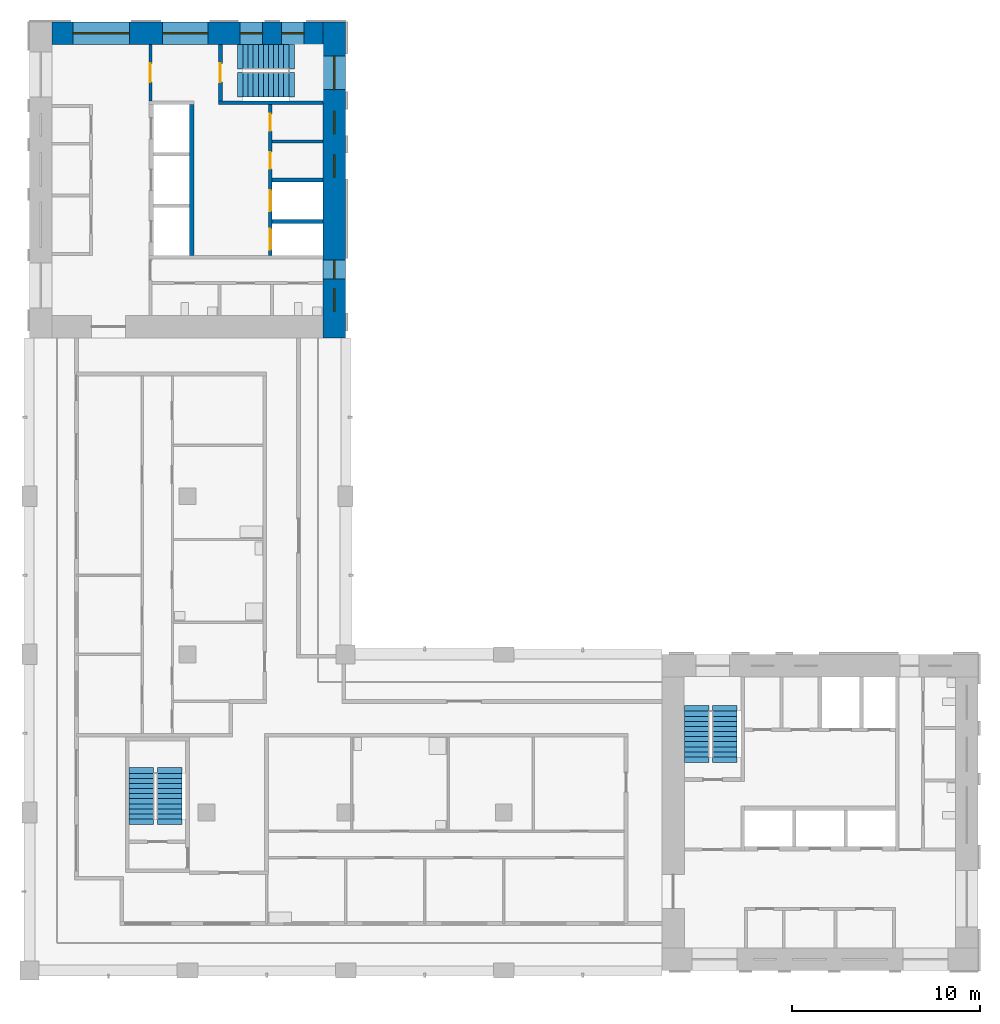
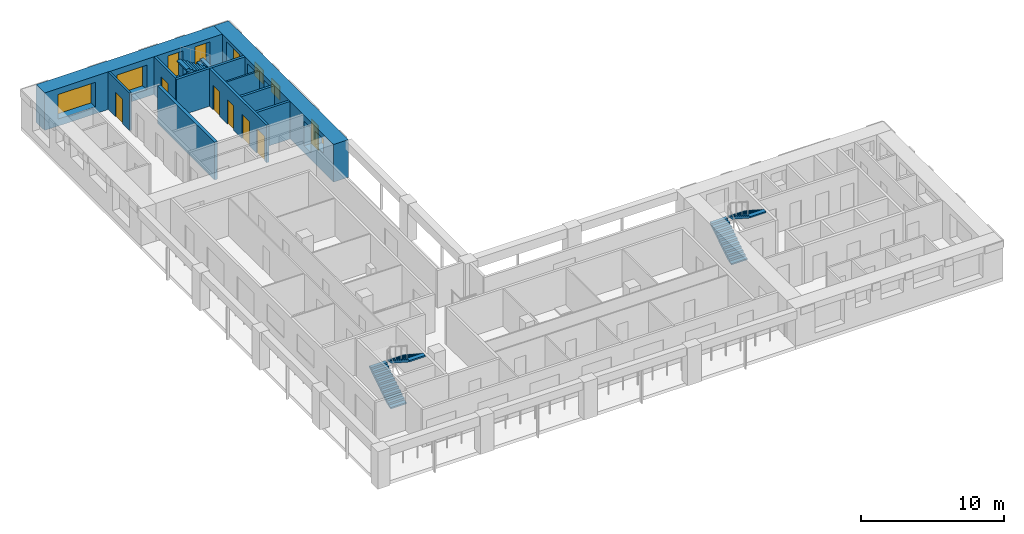
# One storey, part 6 of 9: 10 walls, 9 windows, 6 doors, 6 stair flights, 15 openings, 3 elements without a shape of their own.
"""IFC4 building model written with IfcOpenShell, lengths in metres."""

from ifc_helpers import new_model, si_unit, direction, frame, frame_2d, origin, place, context, subcontext, project, spatial, polyline, rectangle, outline, extrude, material, layer, layer_set, type_object, element, fill, aggregate, save


model = new_model("IFC4")

# Units and contexts
model_context = context("Model", 3, precision=1e-05, world=origin(), true_north=direction((0.0, 1.0)))
body_context = subcontext(model_context, "Body", "Model", "MODEL_VIEW")
ifc_project = project(units=[si_unit("LENGTHUNIT", "METRE"), si_unit("AREAUNIT", "SQUARE_METRE"), si_unit("VOLUMEUNIT", "CUBIC_METRE"), si_unit("PLANEANGLEUNIT", "RADIAN"), si_unit("MASSUNIT", "GRAM", prefix="KILO")], contexts=[model_context])

# Site, building, storey
site_placement = place(None, origin())
site = spatial("IfcSite", under=ifc_project, at=site_placement, CompositionType="ELEMENT")
building_placement = place(site_placement, origin())
building = spatial("IfcBuilding", under=site, at=building_placement, Name="Vermilion Gate Residences", CompositionType="ELEMENT")
storey_placement = place(building_placement, frame((0.0, 0.0, 224.699951171875)))
storey = spatial("IfcBuildingStorey", under=building, at=storey_placement, Name="L58", CompositionType="ELEMENT", Elevation=224.699951171875)

# Wall
ifc_material_1 = material(Name="Masonry blockwork", Category="masonry")
ifc_layer_1 = layer(ifc_material_1, 0.14990234375)
ifc_layer_set_1 = layer_set([ifc_layer_1], Name="BLOCKWORK PARTITION 150 EI 120")
wall_type_1 = type_object("IfcWallType", Name="BLOCKWORK PARTITION 150 EI 120", PredefinedType="PARTITIONING", material=ifc_layer_set_1)
wall_1_placement = place(storey_placement, frame((21.300048828125, 52.449951171875, 0.0), z_axis=(0.0, 0.0, 1.0), x_axis=(1.0, 0.0, 0.0)))
element("IfcWall", 1, at=wall_1_placement, inside=storey, type_object=wall_type_1, Name="Core room partition B58-NR-P0", PredefinedType="PARTITIONING", context=body_context, shape_type="SweptSolid", body=[
    extrude(rectangle(XDim=2.699951171875, YDim=0.14990234375, at=frame_2d((1.35009765625, 0.0))), origin(), (0.0, 0.0, 1.0), 3.219970703125),
])

# Wall, opening, door
wall_2_placement = place(storey_placement, frame((14.824951171875, 57.60009765625, 0.0), z_axis=(0.0, 0.0, 1.0), x_axis=(0.0, -1.0, 0.0)))
wall_2 = element("IfcWall", 2, at=wall_2_placement, inside=storey, type_object=wall_type_1, Name="Core room partition B58-VW-S", PredefinedType="PARTITIONING", context=body_context, shape_type="SweptSolid", body=[
    extrude(rectangle(XDim=3.0, YDim=0.14990234375, at=frame_2d((1.5, 0.0))), origin(), (0.0, 0.0, 1.0), 3.219970703125),
])
opening_1_placement = place(wall_2_placement, frame((1.0, 0.0, 0.0)))
opening_1 = element("IfcOpeningElement", 3, at=opening_1_placement, cuts=wall_2, Name="Opening DK58112", PredefinedType="OPENING", context=body_context, shape_type="SweptSolid", body=[
    extrude(rectangle(XDim=1.0, YDim=2.10009765625, at=frame_2d((0.5, 1.050048828125))), frame((0.0, 0.0849609375, 0.0), z_axis=(0.0, -1.0, 0.0), x_axis=(1.0, 0.0, 0.0)), (0.0, 0.0, 1.0), 0.169921875),
])
ifc_material_2 = material(Name="Steel", Category="steel")
door_type_1 = type_object("IfcDoorType", Name="FIRE DOOR FD60 1000 X 2100", OperationType="SINGLE_SWING_LEFT", PredefinedType="DOOR", material=ifc_material_2)
door_1_placement = place(opening_1_placement, frame((1.0, 0.0, 0.0), z_axis=(0.0, 0.0, 1.0), x_axis=(-1.0, 0.0, 0.0)))
door_1 = element("IfcDoor", 4, at=door_1_placement, inside=storey, type_object=door_type_1, Name="Stair vestibule door B58", OperationType="SINGLE_SWING_RIGHT", OverallHeight=2.10009765625, OverallWidth=1.0, PredefinedType="DOOR", context=body_context, shape_type="SweptSolid", body=[
    extrude(rectangle(XDim=1.0, YDim=2.10009765625, at=frame_2d((0.5, 1.050048828125))), frame((0.0, 0.02490234375, 0.0), z_axis=(0.0, -1.0, 0.0), x_axis=(1.0, 0.0, 0.0)), (0.0, 0.0, 1.0), 0.050048828125),
])
fill(opening_1, door_1)

# Walls
ifc_material_3 = material(Name="Concrete C60", Category="concrete")
ifc_layer_2 = layer(ifc_material_3, 0.199951171875)
ifc_layer_set_2 = layer_set([ifc_layer_2], Name="RC CORE INTERNAL WALL 200 C60")
wall_type_2 = type_object("IfcWallType", Name="RC CORE INTERNAL WALL 200 C60", PredefinedType="SHEAR", material=ifc_layer_set_2)
for number, where, z_axis, x_axis, name in (
    (5, (21.300048828125, 50.39990234375, 0.0), (0.0, 0.0, 1.0), (1.0, 0.0, 0.0), "Core internal wall B58-FF-D0"),
    (6, (21.300048828125, 48.199951171875, 0.0), (0.0, 0.0, 1.0), (1.0, 0.0, 0.0), "Core internal wall B58-FF-D1"),
):
    element("IfcWall", number, at=place(storey_placement, frame(where, z_axis=z_axis, x_axis=x_axis)), inside=storey, type_object=wall_type_2, Name=name, PredefinedType="SHEAR", context=body_context, shape_type="SweptSolid", body=[
        extrude(rectangle(XDim=2.699951171875, YDim=0.199951171875, at=frame_2d((1.35009765625, 0.0))), origin(), (0.0, 0.0, 1.0), 3.219970703125),
    ])

# Wall, openings, doors
wall_3_placement = place(storey_placement, frame((21.199951171875, 54.39990234375, 0.0), z_axis=(0.0, 0.0, 1.0), x_axis=(0.0, -1.0, 0.0)))
wall_3 = element("IfcWall", 7, at=wall_3_placement, inside=storey, type_object=wall_type_2, Name="Core internal wall B58-FF-F", PredefinedType="SHEAR", context=body_context, shape_type="SweptSolid", body=[
    extrude(rectangle(XDim=8.0, YDim=0.199951171875, at=frame_2d((4.0, 0.0))), origin(), (0.0, 0.0, 1.0), 3.219970703125),
])
opening_2_placement = place(wall_3_placement, frame((0.487548828125, 0.0, 0.0)))
opening_2 = element("IfcOpeningElement", 8, at=opening_2_placement, cuts=wall_3, Name="Opening DK58108", PredefinedType="OPENING", context=body_context, shape_type="SweptSolid", body=[
    extrude(rectangle(XDim=0.89990234375, YDim=2.10009765625, at=frame_2d((0.449951171875, 1.050048828125))), frame((0.0, 0.10986328125, 0.0), z_axis=(0.0, -1.0, 0.0), x_axis=(1.0, 0.0, 0.0)), (0.0, 0.0, 1.0), 0.219970703125),
])
opening_3_placement = place(wall_3_placement, frame((2.512451171875, 0.0, 0.0)))
opening_3 = element("IfcOpeningElement", 9, at=opening_3_placement, cuts=wall_3, Name="Opening DK58109", PredefinedType="OPENING", context=body_context, shape_type="SweptSolid", body=[
    extrude(rectangle(XDim=0.89990234375, YDim=2.10009765625, at=frame_2d((0.449951171875, 1.050048828125))), frame((0.0, 0.10986328125, 0.0), z_axis=(0.0, -1.0, 0.0), x_axis=(1.0, 0.0, 0.0)), (0.0, 0.0, 1.0), 0.219970703125),
])
opening_4_placement = place(wall_3_placement, frame((4.550048828125, 0.0, 0.0)))
opening_4 = element("IfcOpeningElement", 10, at=opening_4_placement, cuts=wall_3, Name="Opening LD", PredefinedType="OPENING", context=body_context, shape_type="SweptSolid", body=[
    extrude(rectangle(XDim=1.10009765625, YDim=2.10009765625, at=frame_2d((0.550048828125, 1.050048828125))), frame((0.0, 0.10986328125, 0.0), z_axis=(0.0, -1.0, 0.0), x_axis=(1.0, 0.0, 0.0)), (0.0, 0.0, 1.0), 0.219970703125),
])
opening_5_placement = place(wall_3_placement, frame((6.60009765625, 0.0, 0.0)))
opening_5 = element("IfcOpeningElement", 11, at=opening_5_placement, cuts=wall_3, Name="Opening LD", PredefinedType="OPENING", context=body_context, shape_type="SweptSolid", body=[
    extrude(rectangle(XDim=1.10009765625, YDim=2.10009765625, at=frame_2d((0.550048828125, 1.050048828125))), frame((0.0, 0.10986328125, 0.0), z_axis=(0.0, -1.0, 0.0), x_axis=(1.0, 0.0, 0.0)), (0.0, 0.0, 1.0), 0.219970703125),
])
ifc_material_4 = material(Name="Stainless steel", Category="steel")
door_type_2 = type_object("IfcDoorType", Name="LIFT LANDING DOOR E60 1100 X 2100", OperationType="DOUBLE_DOOR_SLIDING", PredefinedType="DOOR", material=ifc_material_4)
door_2_placement = place(opening_4_placement, origin())
door_2 = element("IfcDoor", 12, at=door_2_placement, inside=storey, type_object=door_type_2, Name="Lift landing door LFB1", OperationType="DOUBLE_DOOR_SLIDING", OverallHeight=2.10009765625, OverallWidth=1.10009765625, PredefinedType="DOOR", context=body_context, shape_type="SweptSolid", body=[
    extrude(rectangle(XDim=1.10009765625, YDim=2.10009765625, at=frame_2d((0.550048828125, 1.050048828125))), frame((0.0, 0.02490234375, 0.0), z_axis=(0.0, -1.0, 0.0), x_axis=(1.0, 0.0, 0.0)), (0.0, 0.0, 1.0), 0.050048828125),
])
fill(opening_4, door_2)
door_3_placement = place(opening_5_placement, origin())
door_3 = element("IfcDoor", 13, at=door_3_placement, inside=storey, type_object=door_type_2, Name="Lift landing door LCB1", OperationType="DOUBLE_DOOR_SLIDING", OverallHeight=2.10009765625, OverallWidth=1.10009765625, PredefinedType="DOOR", context=body_context, shape_type="SweptSolid", body=[
    extrude(rectangle(XDim=1.10009765625, YDim=2.10009765625, at=frame_2d((0.550048828125, 1.050048828125))), frame((0.0, 0.02490234375, 0.0), z_axis=(0.0, -1.0, 0.0), x_axis=(1.0, 0.0, 0.0)), (0.0, 0.0, 1.0), 0.050048828125),
])
fill(opening_5, door_3)
ifc_material_5 = material(Name="Steel", Category="steel")
door_type_3 = type_object("IfcDoorType", Name="SERVICE ROOM DOOR FD60 900 X 2100", OperationType="SINGLE_SWING_LEFT", PredefinedType="DOOR", material=ifc_material_5)
door_4_placement = place(opening_2_placement, origin())
door_4 = element("IfcDoor", 14, at=door_4_placement, inside=storey, type_object=door_type_3, Name="Housekeeping store B58", OperationType="SINGLE_SWING_RIGHT", OverallHeight=2.10009765625, OverallWidth=0.89990234375, PredefinedType="DOOR", context=body_context, shape_type="SweptSolid", body=[
    extrude(rectangle(XDim=0.89990234375, YDim=2.10009765625, at=frame_2d((0.449951171875, 1.050048828125))), frame((0.0, 0.02490234375, 0.0), z_axis=(0.0, -1.0, 0.0), x_axis=(1.0, 0.0, 0.0)), (0.0, 0.0, 1.0), 0.050048828125),
])
fill(opening_2, door_4)
door_5_placement = place(opening_3_placement, origin())
door_5 = element("IfcDoor", 15, at=door_5_placement, inside=storey, type_object=door_type_3, Name="Mail room B58", OperationType="SINGLE_SWING_RIGHT", OverallHeight=2.10009765625, OverallWidth=0.89990234375, PredefinedType="DOOR", context=body_context, shape_type="SweptSolid", body=[
    extrude(rectangle(XDim=0.89990234375, YDim=2.10009765625, at=frame_2d((0.449951171875, 1.050048828125))), frame((0.0, 0.02490234375, 0.0), z_axis=(0.0, -1.0, 0.0), x_axis=(1.0, 0.0, 0.0)), (0.0, 0.0, 1.0), 0.050048828125),
])
fill(opening_3, door_5)

# Wall
wall_4_placement = place(storey_placement, frame((18.449951171875, 54.5, 0.0), z_axis=(0.0, 0.0, 1.0), x_axis=(1.0, 0.0, 0.0)))
element("IfcWall", 16, at=wall_4_placement, inside=storey, type_object=wall_type_2, Name="Core internal wall B58-WDIV2", PredefinedType="SHEAR", context=body_context, shape_type="SweptSolid", body=[
    extrude(rectangle(XDim=5.550048828125, YDim=0.199951171875, at=frame_2d((2.77490234375, 0.0))), origin(), (0.0, 0.0, 1.0), 3.219970703125),
])

# Wall, opening, door
wall_5_placement = place(storey_placement, frame((18.550048828125, 57.60009765625, 0.0), z_axis=(0.0, 0.0, 1.0), x_axis=(0.0, -1.0, 0.0)))
wall_5 = element("IfcWall", 17, at=wall_5_placement, inside=storey, type_object=wall_type_2, Name="Core internal wall B58-STW-S", PredefinedType="SHEAR", context=body_context, shape_type="SweptSolid", body=[
    extrude(rectangle(XDim=3.0, YDim=0.199951171875, at=frame_2d((1.5, 0.0))), origin(), (0.0, 0.0, 1.0), 3.219970703125),
])
opening_6_placement = place(wall_5_placement, frame((1.0, 0.0, 0.0)))
opening_6 = element("IfcOpeningElement", 18, at=opening_6_placement, cuts=wall_5, Name="Opening DK58113", PredefinedType="OPENING", context=body_context, shape_type="SweptSolid", body=[
    extrude(rectangle(XDim=1.0, YDim=2.10009765625, at=frame_2d((0.5, 1.050048828125))), frame((0.0, 0.10986328125, 0.0), z_axis=(0.0, -1.0, 0.0), x_axis=(1.0, 0.0, 0.0)), (0.0, 0.0, 1.0), 0.219970703125),
])
door_6_placement = place(opening_6_placement, origin())
door_6 = element("IfcDoor", 19, at=door_6_placement, inside=storey, type_object=door_type_1, Name="Stair door B58", OperationType="SINGLE_SWING_LEFT", OverallHeight=2.10009765625, OverallWidth=1.0, PredefinedType="DOOR", context=body_context, shape_type="SweptSolid", body=[
    extrude(rectangle(XDim=1.0, YDim=2.10009765625, at=frame_2d((0.5, 1.050048828125))), frame((0.0, 0.02490234375, 0.0), z_axis=(0.0, -1.0, 0.0), x_axis=(1.0, 0.0, 0.0)), (0.0, 0.0, 1.0), 0.050048828125),
])
fill(opening_6, door_6)

# Wall, openings, windows
ifc_material_6 = material(Name="Concrete C50 red-oxide pigmented", Category="concrete")
ifc_layer_3 = layer(ifc_material_6, 1.199951171875)
ifc_layer_set_3 = layer_set([ifc_layer_3], Name="RC CORE WALL 1200 C50 RED OXIDE")
wall_type_3 = type_object("IfcWallType", Name="RC CORE WALL 1200 C50 RED OXIDE", PredefinedType="SHEAR", material=ifc_layer_set_3)
wall_6_placement = place(storey_placement, frame((24.60009765625, 58.800048828125, 0.0), z_axis=(0.0, 0.0, 1.0), x_axis=(0.0, -1.0, 0.0)))
wall_6 = element("IfcWall", 20, at=wall_6_placement, inside=storey, type_object=wall_type_3, Name="Core wall B58-OUT-B1", PredefinedType="SHEAR", context=body_context, shape_type="SweptSolid", body=[
    extrude(rectangle(XDim=16.800048828125, YDim=1.199951171875, at=frame_2d((8.39990234375, 0.0))), origin(), (0.0, 0.0, 1.0), 3.219970703125),
])
opening_7_placement = place(wall_6_placement, frame((1.800048828125, 0.0, 0.5)))
opening_7 = element("IfcOpeningElement", 21, at=opening_7_placement, cuts=wall_6, Name="Opening WKB5806", PredefinedType="OPENING", context=body_context, shape_type="SweptSolid", body=[
    extrude(rectangle(XDim=1.800048828125, YDim=2.39990234375, at=frame_2d((0.89990234375, 1.199951171875))), frame((0.0, 0.60986328125, 0.0), z_axis=(0.0, -1.0, 0.0), x_axis=(1.0, 0.0, 0.0)), (0.0, 0.0, 1.0), 1.219970703125),
])
opening_8_placement = place(wall_6_placement, frame((4.737548828125, 0.0, 1.60009765625)))
opening_8 = element("IfcOpeningElement", 22, at=opening_8_placement, cuts=wall_6, Name="Opening WKB5807", PredefinedType="OPENING", context=body_context, shape_type="SweptSolid", body=[
    extrude(rectangle(XDim=1.199951171875, YDim=1.199951171875, at=frame_2d((0.60009765625, 0.60009765625))), frame((0.0, 0.60986328125, 0.0), z_axis=(0.0, -1.0, 0.0), x_axis=(1.0, 0.0, 0.0)), (0.0, 0.0, 1.0), 1.219970703125),
])
opening_9_placement = place(wall_6_placement, frame((7.050048828125, 0.0, 1.60009765625)))
opening_9 = element("IfcOpeningElement", 23, at=opening_9_placement, cuts=wall_6, Name="Opening WKB5808", PredefinedType="OPENING", context=body_context, shape_type="SweptSolid", body=[
    extrude(rectangle(XDim=1.199951171875, YDim=1.199951171875, at=frame_2d((0.60009765625, 0.60009765625))), frame((0.0, 0.60986328125, 0.0), z_axis=(0.0, -1.0, 0.0), x_axis=(1.0, 0.0, 0.0)), (0.0, 0.0, 1.0), 1.219970703125),
])
opening_10_placement = place(wall_6_placement, frame((12.64990234375, 0.0, 0.60009765625)))
opening_10 = element("IfcOpeningElement", 24, at=opening_10_placement, cuts=wall_6, Name="Opening WKB5809", PredefinedType="OPENING", context=body_context, shape_type="SweptSolid", body=[
    extrude(rectangle(XDim=1.0, YDim=2.10009765625, at=frame_2d((0.5, 1.050048828125))), frame((0.0, 0.60986328125, 0.0), z_axis=(0.0, -1.0, 0.0), x_axis=(1.0, 0.0, 0.0)), (0.0, 0.0, 1.0), 1.219970703125),
])
opening_11_placement = place(wall_6_placement, frame((14.175048828125, 0.0, 1.60009765625)))
opening_11 = element("IfcOpeningElement", 25, at=opening_11_placement, cuts=wall_6, Name="Opening WKB5810", PredefinedType="OPENING", context=body_context, shape_type="SweptSolid", body=[
    extrude(rectangle(XDim=1.199951171875, YDim=1.199951171875, at=frame_2d((0.60009765625, 0.60009765625))), frame((0.0, 0.60986328125, 0.0), z_axis=(0.0, -1.0, 0.0), x_axis=(1.0, 0.0, 0.0)), (0.0, 0.0, 1.0), 1.219970703125),
])
ifc_material_7 = material(Name="Aluminium and clear glass", Category="aluminium")
window_type_1 = type_object("IfcWindowType", Name="CORE CORRIDOR WINDOW 1000 X 2100", PartitioningType="SINGLE_PANEL", PredefinedType="WINDOW", material=ifc_material_7)
window_1_placement = place(opening_10_placement, origin())
window_1 = element("IfcWindow", 26, at=window_1_placement, inside=storey, type_object=window_type_1, Name="Core corridor window", OverallHeight=2.10009765625, OverallWidth=1.0, PartitioningType="SINGLE_PANEL", PredefinedType="WINDOW", context=body_context, shape_type="SweptSolid", body=[
    extrude(rectangle(XDim=1.0, YDim=2.10009765625, at=frame_2d((0.5, 1.050048828125))), frame((0.0, 0.030029296875, 0.0), z_axis=(0.0, -1.0, 0.0), x_axis=(1.0, 0.0, 0.0)), (0.0, 0.0, 1.0), 0.06005859375),
])
fill(opening_10, window_1)
ifc_material_8 = material(Name="Aluminium frame with louvre blades", Category="aluminium")
window_type_2 = type_object("IfcWindowType", Name="CORE LOUVRE 1200 X 1200", PartitioningType="SINGLE_PANEL", PredefinedType="WINDOW", material=ifc_material_8)
window_2_placement = place(opening_8_placement, origin())
window_2 = element("IfcWindow", 27, at=window_2_placement, inside=storey, type_object=window_type_2, Name="Core louvre", OverallHeight=1.199951171875, OverallWidth=1.199951171875, PartitioningType="SINGLE_PANEL", PredefinedType="WINDOW", context=body_context, shape_type="SweptSolid", body=[
    extrude(rectangle(XDim=1.199951171875, YDim=1.199951171875, at=frame_2d((0.60009765625, 0.60009765625))), frame((0.0, 0.030029296875, 0.0), z_axis=(0.0, -1.0, 0.0), x_axis=(1.0, 0.0, 0.0)), (0.0, 0.0, 1.0), 0.06005859375),
])
fill(opening_8, window_2)
window_3_placement = place(opening_9_placement, origin())
window_3 = element("IfcWindow", 28, at=window_3_placement, inside=storey, type_object=window_type_2, Name="Core louvre", OverallHeight=1.199951171875, OverallWidth=1.199951171875, PartitioningType="SINGLE_PANEL", PredefinedType="WINDOW", context=body_context, shape_type="SweptSolid", body=[
    extrude(rectangle(XDim=1.199951171875, YDim=1.199951171875, at=frame_2d((0.60009765625, 0.60009765625))), frame((0.0, 0.030029296875, 0.0), z_axis=(0.0, -1.0, 0.0), x_axis=(1.0, 0.0, 0.0)), (0.0, 0.0, 1.0), 0.06005859375),
])
fill(opening_9, window_3)
window_4_placement = place(opening_11_placement, origin())
window_4 = element("IfcWindow", 29, at=window_4_placement, inside=storey, type_object=window_type_2, Name="Core louvre", OverallHeight=1.199951171875, OverallWidth=1.199951171875, PartitioningType="SINGLE_PANEL", PredefinedType="WINDOW", context=body_context, shape_type="SweptSolid", body=[
    extrude(rectangle(XDim=1.199951171875, YDim=1.199951171875, at=frame_2d((0.60009765625, 0.60009765625))), frame((0.0, 0.030029296875, 0.0), z_axis=(0.0, -1.0, 0.0), x_axis=(1.0, 0.0, 0.0)), (0.0, 0.0, 1.0), 0.06005859375),
])
fill(opening_11, window_4)
ifc_material_9 = material(Name="Aluminium and clear glass", Category="aluminium")
window_type_3 = type_object("IfcWindowType", Name="CORE STAIR WINDOW 1800 X 2400", PartitioningType="SINGLE_PANEL", PredefinedType="WINDOW", material=ifc_material_9)
window_5_placement = place(opening_7_placement, origin())
window_5 = element("IfcWindow", 30, at=window_5_placement, inside=storey, type_object=window_type_3, Name="Core stair window", OverallHeight=2.39990234375, OverallWidth=1.800048828125, PartitioningType="SINGLE_PANEL", PredefinedType="WINDOW", context=body_context, shape_type="SweptSolid", body=[
    extrude(rectangle(XDim=1.800048828125, YDim=2.39990234375, at=frame_2d((0.89990234375, 1.199951171875))), frame((0.0, 0.030029296875, 0.0), z_axis=(0.0, -1.0, 0.0), x_axis=(1.0, 0.0, 0.0)), (0.0, 0.0, 1.0), 0.06005859375),
])
fill(opening_7, window_5)

wall_7_placement = place(storey_placement, frame((9.60009765625, 58.199951171875, 0.0), z_axis=(0.0, 0.0, 1.0), x_axis=(1.0, 0.0, 0.0)))
wall_7 = element("IfcWall", 31, at=wall_7_placement, inside=storey, type_object=wall_type_3, Name="Core wall B58-OUT-FR", PredefinedType="SHEAR", context=body_context, shape_type="SweptSolid", body=[
    extrude(rectangle(XDim=14.39990234375, YDim=1.199951171875, at=frame_2d((7.199951171875, 0.0))), origin(), (0.0, 0.0, 1.0), 3.219970703125),
])
opening_12_placement = place(wall_7_placement, frame((1.10498046875, 0.0, 0.60009765625)))
opening_12 = element("IfcOpeningElement", 32, at=opening_12_placement, cuts=wall_7, Name="Opening WKB5811", PredefinedType="OPENING", context=body_context, shape_type="SweptSolid", body=[
    extrude(rectangle(XDim=3.0, YDim=2.10009765625, at=frame_2d((1.5, 1.050048828125))), frame((0.0, 0.60986328125, 0.0), z_axis=(0.0, -1.0, 0.0), x_axis=(1.0, 0.0, 0.0)), (0.0, 0.0, 1.0), 1.219970703125),
])
opening_13_placement = place(wall_7_placement, frame((5.875, 0.0, 0.60009765625)))
opening_13 = element("IfcOpeningElement", 33, at=opening_13_placement, cuts=wall_7, Name="Opening WKB5812", PredefinedType="OPENING", context=body_context, shape_type="SweptSolid", body=[
    extrude(rectangle(XDim=2.39990234375, YDim=2.10009765625, at=frame_2d((1.199951171875, 1.050048828125))), frame((0.0, 0.60986328125, 0.0), z_axis=(0.0, -1.0, 0.0), x_axis=(1.0, 0.0, 0.0)), (0.0, 0.0, 1.0), 1.219970703125),
])
opening_14_placement = place(wall_7_placement, frame((9.993408203125, 0.0, 0.5)))
opening_14 = element("IfcOpeningElement", 34, at=opening_14_placement, cuts=wall_7, Name="Opening WKB5813", PredefinedType="OPENING", context=body_context, shape_type="SweptSolid", body=[
    extrude(rectangle(XDim=1.199951171875, YDim=2.39990234375, at=frame_2d((0.60009765625, 1.199951171875))), frame((0.0, 0.60986328125, 0.0), z_axis=(0.0, -1.0, 0.0), x_axis=(1.0, 0.0, 0.0)), (0.0, 0.0, 1.0), 1.219970703125),
])
opening_15_placement = place(wall_7_placement, frame((12.19677734375, 0.0, 0.5)))
opening_15 = element("IfcOpeningElement", 35, at=opening_15_placement, cuts=wall_7, Name="Opening WKB5814", PredefinedType="OPENING", context=body_context, shape_type="SweptSolid", body=[
    extrude(rectangle(XDim=1.199951171875, YDim=2.39990234375, at=frame_2d((0.60009765625, 1.199951171875))), frame((0.0, 0.60986328125, 0.0), z_axis=(0.0, -1.0, 0.0), x_axis=(1.0, 0.0, 0.0)), (0.0, 0.0, 1.0), 1.219970703125),
])
ifc_material_10 = material(Name="Aluminium and clear glass", Category="aluminium")
window_type_4 = type_object("IfcWindowType", Name="CORE LOBBY WINDOW 2400 X 2100", PartitioningType="SINGLE_PANEL", PredefinedType="WINDOW", material=ifc_material_10)
window_6_placement = place(opening_13_placement, origin())
window_6 = element("IfcWindow", 36, at=window_6_placement, inside=storey, type_object=window_type_4, Name="Core lobby window", OverallHeight=2.10009765625, OverallWidth=2.39990234375, PartitioningType="SINGLE_PANEL", PredefinedType="WINDOW", context=body_context, shape_type="SweptSolid", body=[
    extrude(rectangle(XDim=2.39990234375, YDim=2.10009765625, at=frame_2d((1.199951171875, 1.050048828125))), frame((0.0, 0.030029296875, 0.0), z_axis=(0.0, -1.0, 0.0), x_axis=(1.0, 0.0, 0.0)), (0.0, 0.0, 1.0), 0.06005859375),
])
fill(opening_13, window_6)
ifc_material_11 = material(Name="Aluminium and clear glass", Category="aluminium")
window_type_5 = type_object("IfcWindowType", Name="CORE LOBBY WINDOW 3000 X 2100", PartitioningType="SINGLE_PANEL", PredefinedType="WINDOW", material=ifc_material_11)
window_7_placement = place(opening_12_placement, origin())
window_7 = element("IfcWindow", 37, at=window_7_placement, inside=storey, type_object=window_type_5, Name="Core lobby window", OverallHeight=2.10009765625, OverallWidth=3.0, PartitioningType="SINGLE_PANEL", PredefinedType="WINDOW", context=body_context, shape_type="SweptSolid", body=[
    extrude(rectangle(XDim=3.0, YDim=2.10009765625, at=frame_2d((1.5, 1.050048828125))), frame((0.0, 0.030029296875, 0.0), z_axis=(0.0, -1.0, 0.0), x_axis=(1.0, 0.0, 0.0)), (0.0, 0.0, 1.0), 0.06005859375),
])
fill(opening_12, window_7)
ifc_material_12 = material(Name="Aluminium and clear glass", Category="aluminium")
window_type_6 = type_object("IfcWindowType", Name="CORE STAIR WINDOW 1200 X 2400", PartitioningType="SINGLE_PANEL", PredefinedType="WINDOW", material=ifc_material_12)
window_8_placement = place(opening_14_placement, origin())
window_8 = element("IfcWindow", 38, at=window_8_placement, inside=storey, type_object=window_type_6, Name="Core stair window", OverallHeight=2.39990234375, OverallWidth=1.199951171875, PartitioningType="SINGLE_PANEL", PredefinedType="WINDOW", context=body_context, shape_type="SweptSolid", body=[
    extrude(rectangle(XDim=1.199951171875, YDim=2.39990234375, at=frame_2d((0.60009765625, 1.199951171875))), frame((0.0, 0.030029296875, 0.0), z_axis=(0.0, -1.0, 0.0), x_axis=(1.0, 0.0, 0.0)), (0.0, 0.0, 1.0), 0.06005859375),
])
fill(opening_14, window_8)
window_9_placement = place(opening_15_placement, origin())
window_9 = element("IfcWindow", 39, at=window_9_placement, inside=storey, type_object=window_type_6, Name="Core stair window", OverallHeight=2.39990234375, OverallWidth=1.199951171875, PartitioningType="SINGLE_PANEL", PredefinedType="WINDOW", context=body_context, shape_type="SweptSolid", body=[
    extrude(rectangle(XDim=1.199951171875, YDim=2.39990234375, at=frame_2d((0.60009765625, 1.199951171875))), frame((0.0, 0.030029296875, 0.0), z_axis=(0.0, -1.0, 0.0), x_axis=(1.0, 0.0, 0.0)), (0.0, 0.0, 1.0), 0.06005859375),
])
fill(opening_15, window_9)

# Wall
ifc_material_13 = material(Name="Concrete C60", Category="concrete")
ifc_layer_4 = layer(ifc_material_13, 0.25)
ifc_layer_set_4 = layer_set([ifc_layer_4], Name="RC LIFT SHAFT WALL 250 C60")
wall_type_4 = type_object("IfcWallType", Name="RC LIFT SHAFT WALL 250 C60", PredefinedType="SHEAR", material=ifc_layer_set_4)
wall_8_placement = place(storey_placement, frame((17.02490234375, 54.39990234375, 0.0), z_axis=(0.0, 0.0, 1.0), x_axis=(0.0, -1.0, 0.0)))
element("IfcWall", 40, at=wall_8_placement, inside=storey, type_object=wall_type_4, Name="Lift shaft wall B58-HR-B", PredefinedType="SHEAR", context=body_context, shape_type="SweptSolid", body=[
    extrude(rectangle(XDim=8.0, YDim=0.25, at=frame_2d((4.0, 0.0))), origin(), (0.0, 0.0, 1.0), 3.219970703125),
])

# Stair, stair flights
ifc_material_14 = material(Name="Concrete C50", Category="concrete")
stair_type = type_object("IfcStairType", Name="SPECIAL ESCAPE STAIR 1300", PredefinedType="HALF_TURN_STAIR", material=ifc_material_14)
stair_1_placement = place(storey_placement, origin())
stair_1 = element("IfcStair", 41, at=stair_1_placement, inside=storey, type_object=stair_type, Name="Special escape stair STA1-58", PredefinedType="HALF_TURN_STAIR")
ifc_material_15 = material(Name="Concrete C50", Category="concrete")
stair_flight_type = type_object("IfcStairFlightType", Name="STAIR FLIGHT 1300 RC C50", PredefinedType="STRAIGHT", material=ifc_material_15)
stair_flight_1_placement = place(storey_placement, frame((43.85009765625, 19.75, 0.0), z_axis=(0.0, 0.0, 1.0), x_axis=(0.0, 1.0, 0.0)))
stair_flight_1 = element("IfcStairFlight", 42, at=stair_flight_1_placement, type_object=stair_flight_type, Name="STA1-58 flight 1", NumberOfRisers=10, NumberOfTreads=9, PredefinedType="STRAIGHT", RiserHeight=0.175, TreadLength=0.27, context=body_context, shape_type="SweptSolid", body=[
    extrude(outline(polyline([(-0.300048828125, -0.14990234375), (-0.300048828125, -0.030029296875), (0.0, 0.0), (0.0, 0.175048828125), (0.27001953125, 0.175048828125), (0.27001953125, 0.35009765625), (0.5400390625, 0.35009765625), (0.5400390625, 0.52490234375), (0.81005859375, 0.52490234375), (0.81005859375, 0.699951171875), (1.080078125, 0.699951171875), (1.080078125, 0.875), (1.35009765625, 0.875), (1.35009765625, 1.050048828125), (1.6201171875, 1.050048828125), (1.6201171875, 1.22509765625), (1.889892578125, 1.22509765625), (1.889892578125, 1.39990234375), (2.159912109375, 1.39990234375), (2.159912109375, 1.574951171875), (2.429931640625, 1.574951171875), (2.429931640625, 1.75), (2.72998046875, 1.719970703125), (2.72998046875, 1.60009765625), (2.429931640625, 1.396484375), (0.275634765625, 0.0), (-0.300048828125, -0.14990234375)])), frame((0.0, 0.64990234375, 0.0), z_axis=(0.0, -1.0, 0.0), x_axis=(1.0, 0.0, 0.0)), (0.0, 0.0, 1.0), 1.300048828125),
])
stair_flight_2_placement = place(storey_placement, frame((45.35009765625, 22.179931640625, 1.75), z_axis=(0.0, 0.0, 1.0), x_axis=(0.0, -1.0, 0.0)))
stair_flight_2 = element("IfcStairFlight", 43, at=stair_flight_2_placement, type_object=stair_flight_type, Name="STA1-58 flight 2", NumberOfRisers=10, NumberOfTreads=9, PredefinedType="STRAIGHT", RiserHeight=0.175, TreadLength=0.27, context=body_context, shape_type="SweptSolid", body=[
    extrude(outline(polyline([(-0.300048828125, -0.14990234375), (-0.300048828125, -0.030029296875), (0.0, 0.0), (0.0, 0.175048828125), (0.27001953125, 0.175048828125), (0.27001953125, 0.35009765625), (0.5400390625, 0.35009765625), (0.5400390625, 0.52490234375), (0.81005859375, 0.52490234375), (0.81005859375, 0.699951171875), (1.080078125, 0.699951171875), (1.080078125, 0.875), (1.35009765625, 0.875), (1.35009765625, 1.050048828125), (1.6201171875, 1.050048828125), (1.6201171875, 1.22509765625), (1.889892578125, 1.22509765625), (1.889892578125, 1.39990234375), (2.159912109375, 1.39990234375), (2.159912109375, 1.574951171875), (2.429931640625, 1.574951171875), (2.429931640625, 1.75), (2.72998046875, 1.719970703125), (2.72998046875, 1.60009765625), (2.429931640625, 1.396484375), (0.275634765625, 0.0), (-0.300048828125, -0.14990234375)])), frame((0.0, 0.64990234375, 0.0), z_axis=(0.0, -1.0, 0.0), x_axis=(1.0, 0.0, 0.0)), (0.0, 0.0, 1.0), 1.300048828125),
])
aggregate(stair_1, [stair_flight_1, stair_flight_2])

stair_2_placement = place(storey_placement, origin())
stair_2 = element("IfcStair", 44, at=stair_2_placement, inside=storey, type_object=stair_type, Name="Special escape stair STB1-58", PredefinedType="HALF_TURN_STAIR")
stair_flight_3_placement = place(storey_placement, frame((19.75, 56.949951171875, 0.0), z_axis=(0.0, 0.0, 1.0), x_axis=(1.0, 0.0, 0.0)))
stair_flight_3 = element("IfcStairFlight", 45, at=stair_flight_3_placement, type_object=stair_flight_type, Name="STB1-58 flight 1", NumberOfRisers=10, NumberOfTreads=9, PredefinedType="STRAIGHT", RiserHeight=0.175, TreadLength=0.27, context=body_context, shape_type="SweptSolid", body=[
    extrude(outline(polyline([(-0.300048828125, -0.14990234375), (-0.300048828125, -0.030029296875), (0.0, 0.0), (0.0, 0.175048828125), (0.27001953125, 0.175048828125), (0.27001953125, 0.35009765625), (0.5400390625, 0.35009765625), (0.5400390625, 0.52490234375), (0.81005859375, 0.52490234375), (0.81005859375, 0.699951171875), (1.080078125, 0.699951171875), (1.080078125, 0.875), (1.35009765625, 0.875), (1.35009765625, 1.050048828125), (1.6201171875, 1.050048828125), (1.6201171875, 1.22509765625), (1.889892578125, 1.22509765625), (1.889892578125, 1.39990234375), (2.159912109375, 1.39990234375), (2.159912109375, 1.574951171875), (2.429931640625, 1.574951171875), (2.429931640625, 1.75), (2.72998046875, 1.719970703125), (2.72998046875, 1.60009765625), (2.429931640625, 1.396484375), (0.275634765625, 0.0), (-0.300048828125, -0.14990234375)])), frame((0.0, 0.64990234375, 0.0), z_axis=(0.0, -1.0, 0.0), x_axis=(1.0, 0.0, 0.0)), (0.0, 0.0, 1.0), 1.300048828125),
])
stair_flight_4_placement = place(storey_placement, frame((22.179931640625, 55.449951171875, 1.75), z_axis=(0.0, 0.0, 1.0), x_axis=(-1.0, 0.0, 0.0)))
stair_flight_4 = element("IfcStairFlight", 46, at=stair_flight_4_placement, type_object=stair_flight_type, Name="STB1-58 flight 2", NumberOfRisers=10, NumberOfTreads=9, PredefinedType="STRAIGHT", RiserHeight=0.175, TreadLength=0.27, context=body_context, shape_type="SweptSolid", body=[
    extrude(outline(polyline([(-0.300048828125, -0.14990234375), (-0.300048828125, -0.030029296875), (0.0, 0.0), (0.0, 0.175048828125), (0.27001953125, 0.175048828125), (0.27001953125, 0.35009765625), (0.5400390625, 0.35009765625), (0.5400390625, 0.52490234375), (0.81005859375, 0.52490234375), (0.81005859375, 0.699951171875), (1.080078125, 0.699951171875), (1.080078125, 0.875), (1.35009765625, 0.875), (1.35009765625, 1.050048828125), (1.6201171875, 1.050048828125), (1.6201171875, 1.22509765625), (1.889892578125, 1.22509765625), (1.889892578125, 1.39990234375), (2.159912109375, 1.39990234375), (2.159912109375, 1.574951171875), (2.429931640625, 1.574951171875), (2.429931640625, 1.75), (2.72998046875, 1.719970703125), (2.72998046875, 1.60009765625), (2.429931640625, 1.396484375), (0.275634765625, 0.0), (-0.300048828125, -0.14990234375)])), frame((0.0, 0.64990234375, 0.0), z_axis=(0.0, -1.0, 0.0), x_axis=(1.0, 0.0, 0.0)), (0.0, 0.0, 1.0), 1.300048828125),
])
aggregate(stair_2, [stair_flight_3, stair_flight_4])

stair_3_placement = place(storey_placement, origin())
stair_3 = element("IfcStair", 47, at=stair_3_placement, inside=storey, type_object=stair_type, Name="Special escape stair STC1-58", PredefinedType="HALF_TURN_STAIR")
stair_flight_5_placement = place(storey_placement, frame((14.35009765625, 16.449951171875, 0.0), z_axis=(0.0, 0.0, 1.0), x_axis=(0.0, 1.0, 0.0)))
stair_flight_5 = element("IfcStairFlight", 48, at=stair_flight_5_placement, type_object=stair_flight_type, Name="STC1-58 flight 1", NumberOfRisers=10, NumberOfTreads=9, PredefinedType="STRAIGHT", RiserHeight=0.175, TreadLength=0.27, context=body_context, shape_type="SweptSolid", body=[
    extrude(outline(polyline([(-0.300048828125, -0.14990234375), (-0.300048828125, -0.030029296875), (0.0, 0.0), (0.0, 0.175048828125), (0.27001953125, 0.175048828125), (0.27001953125, 0.35009765625), (0.5400390625, 0.35009765625), (0.5400390625, 0.52490234375), (0.81005859375, 0.52490234375), (0.81005859375, 0.699951171875), (1.080078125, 0.699951171875), (1.080078125, 0.875), (1.35009765625, 0.875), (1.35009765625, 1.050048828125), (1.6201171875, 1.050048828125), (1.6201171875, 1.22509765625), (1.889892578125, 1.22509765625), (1.889892578125, 1.39990234375), (2.159912109375, 1.39990234375), (2.159912109375, 1.574951171875), (2.429931640625, 1.574951171875), (2.429931640625, 1.75), (2.72998046875, 1.719970703125), (2.72998046875, 1.60009765625), (2.429931640625, 1.396484375), (0.275634765625, 0.0), (-0.300048828125, -0.14990234375)])), frame((0.0, 0.64990234375, 0.0), z_axis=(0.0, -1.0, 0.0), x_axis=(1.0, 0.0, 0.0)), (0.0, 0.0, 1.0), 1.300048828125),
])
stair_flight_6_placement = place(storey_placement, frame((15.85009765625, 18.8798828125, 1.75), z_axis=(0.0, 0.0, 1.0), x_axis=(0.0, -1.0, 0.0)))
stair_flight_6 = element("IfcStairFlight", 49, at=stair_flight_6_placement, type_object=stair_flight_type, Name="STC1-58 flight 2", NumberOfRisers=10, NumberOfTreads=9, PredefinedType="STRAIGHT", RiserHeight=0.175, TreadLength=0.27, context=body_context, shape_type="SweptSolid", body=[
    extrude(outline(polyline([(-0.300048828125, -0.14990234375), (-0.300048828125, -0.030029296875), (0.0, 0.0), (0.0, 0.175048828125), (0.27001953125, 0.175048828125), (0.27001953125, 0.35009765625), (0.5400390625, 0.35009765625), (0.5400390625, 0.52490234375), (0.81005859375, 0.52490234375), (0.81005859375, 0.699951171875), (1.080078125, 0.699951171875), (1.080078125, 0.875), (1.35009765625, 0.875), (1.35009765625, 1.050048828125), (1.6201171875, 1.050048828125), (1.6201171875, 1.22509765625), (1.889892578125, 1.22509765625), (1.889892578125, 1.39990234375), (2.159912109375, 1.39990234375), (2.159912109375, 1.574951171875), (2.429931640625, 1.574951171875), (2.429931640625, 1.75), (2.72998046875, 1.719970703125), (2.72998046875, 1.60009765625), (2.429931640625, 1.396484375), (0.275634765625, 0.0), (-0.300048828125, -0.14990234375)])), frame((0.0, 0.64990234375, 0.0), z_axis=(0.0, -1.0, 0.0), x_axis=(1.0, 0.0, 0.0)), (0.0, 0.0, 1.0), 1.300048828125),
])
aggregate(stair_3, [stair_flight_5, stair_flight_6])

save(model, "model.ifc")
